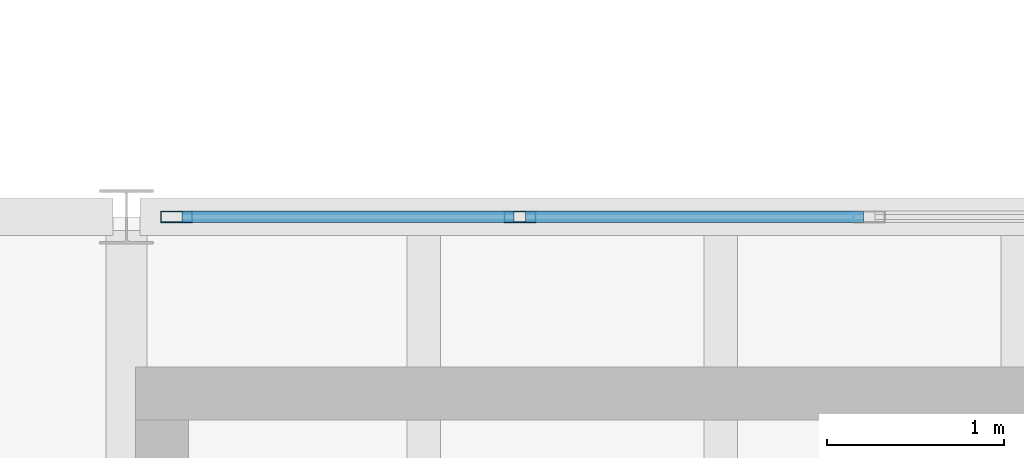
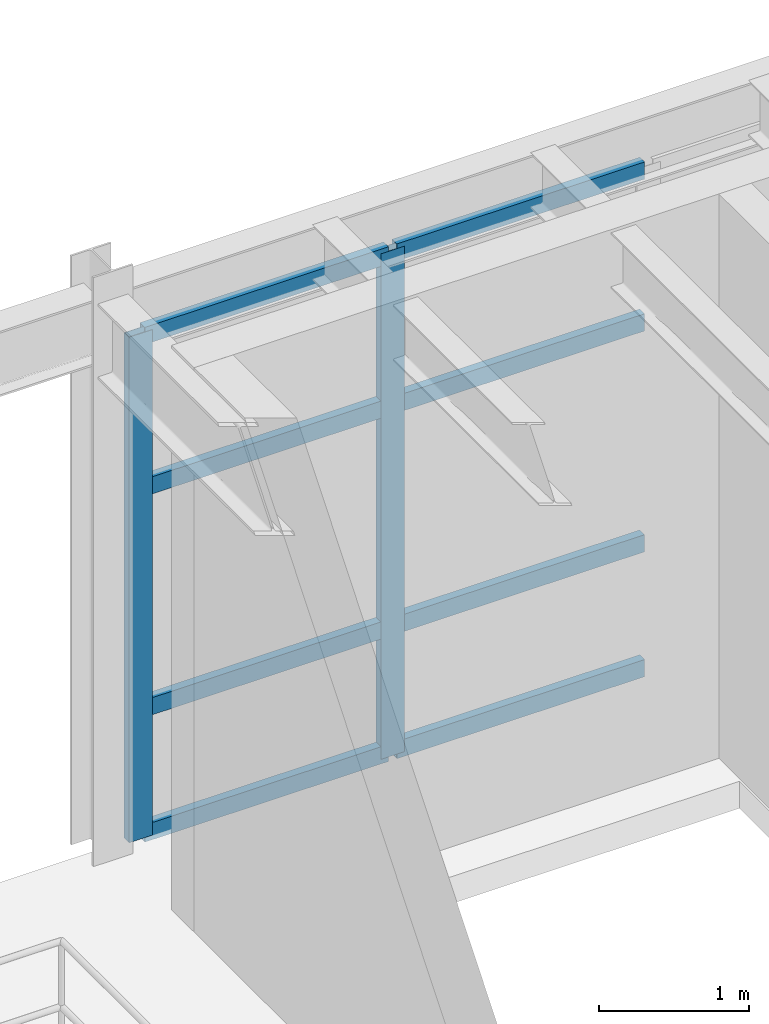
# One storey, part 41 of 105: 10 members, 1 element without a shape of its own.
"""IFC4 building model written with IfcOpenShell, lengths in metres."""

from ifc_helpers import new_model, si_unit, direction, frame, origin, origin_2d, place, context, subcontext, project, spatial, hollow_rectangle, extrude, material, layer, layer_set, material_profile, profile_set, type_object, element, aggregate, save


model = new_model("IFC4")

# Units and contexts
model_context = context("Model", 3, precision=1e-05, world=origin(), true_north=direction((0.0, 1.0)))
body_context = subcontext(model_context, "Body", "Model", "MODEL_VIEW")
ifc_project = project(units=[si_unit("LENGTHUNIT", "METRE"), si_unit("AREAUNIT", "SQUARE_METRE"), si_unit("VOLUMEUNIT", "CUBIC_METRE"), si_unit("PLANEANGLEUNIT", "RADIAN"), si_unit("MASSUNIT", "GRAM", prefix="KILO")], contexts=[model_context])

# Site, building, storey
site_placement = place(None, origin())
site = spatial("IfcSite", under=ifc_project, at=site_placement, CompositionType="ELEMENT")
building_placement = place(site_placement, origin())
building = spatial("IfcBuilding", under=site, at=building_placement, Name="Selat Folded Stagehouse", CompositionType="ELEMENT")
storey_placement = place(building_placement, frame((0.0, 0.0, 10.199951171875)))
storey = spatial("IfcBuildingStorey", under=building, at=storey_placement, Name="L02", CompositionType="ELEMENT", Elevation=10.199951171875)

# Curtain wall, members
ifc_material = material(Name="Aluminium 6063-T6", Category="aluminium")
ifc_layer = layer(ifc_material, 0.195068359375)
ifc_layer_set = layer_set([ifc_layer], Name="Aluminium 6063-T6")
curtain_wall_type = type_object("IfcCurtainWallType", Name="CW-FYR-COURT", PredefinedType="NOTDEFINED", material=ifc_layer_set)
curtain_wall_placement = place(storey_placement, origin())
curtain_wall = element("IfcCurtainWall", 1, at=curtain_wall_placement, inside=storey, type_object=curtain_wall_type, Name="L02 curtain wall CW-FYR-L02-10", PredefinedType="NOTDEFINED")
ifc_material_profile_1 = material_profile(ifc_material, hollow_rectangle(XDim=0.06494140625, YDim=0.179931640625, WallThickness=0.00390625, at=origin_2d()), Name="ALU 180x65x4.0")
ifc_profile_set_1 = profile_set([ifc_material_profile_1], Name="Aluminium 6063-T6")
member_type_1 = type_object("IfcMemberType", Name="CWM-MUL-180x65", PredefinedType="MULLION", material=ifc_profile_set_1)
member_1_placement = place(storey_placement, frame((75.882568359375, 17.800048828125, 0.0), z_axis=(0.0, 0.0, 1.0), x_axis=(0.0, 1.0, 0.0)))
member_1 = element("IfcMember", 2, at=member_1_placement, type_object=member_type_1, Name="CW-05 mullion 1", PredefinedType="MULLION", context=body_context, shape_type="SweptSolid", body=[
    extrude(hollow_rectangle(XDim=0.06494140625, YDim=0.179931640625, WallThickness=0.00390625, at=origin_2d()), origin(), (0.0, 0.0, 1.0), 4.1201171875),
])
member_2_placement = place(storey_placement, frame((77.824951171875, 17.800048828125, 0.0), z_axis=(0.0, 0.0, 1.0), x_axis=(0.0, 1.0, 0.0)))
member_2 = element("IfcMember", 3, at=member_2_placement, type_object=member_type_1, Name="CW-05 mullion 2", PredefinedType="MULLION", context=body_context, shape_type="SweptSolid", body=[
    extrude(hollow_rectangle(XDim=0.06494140625, YDim=0.179931640625, WallThickness=0.00390625, at=origin_2d()), origin(), (0.0, 0.0, 1.0), 4.1201171875),
])
ifc_material_profile_2 = material_profile(ifc_material, hollow_rectangle(XDim=0.06494140625, YDim=0.139892578125, WallThickness=0.00390625, at=origin_2d()), Name="ALU 140x65x4.0")
ifc_profile_set_2 = profile_set([ifc_material_profile_2], Name="Aluminium 6063-T6")
member_type_2 = type_object("IfcMemberType", Name="CWM-TRN-140x65", PredefinedType="USERDEFINED", material=ifc_profile_set_2)
member_3_placement = place(storey_placement, frame((75.9150390625, 17.800048828125, 0.032470703125), z_axis=(1.0, 0.0, 0.0), x_axis=(0.0, 1.0, 0.0)))
member_3 = element("IfcMember", 4, at=member_3_placement, type_object=member_type_2, Name="CW-05 transom 1.1", ObjectType="TRANSOM", PredefinedType="USERDEFINED", context=body_context, shape_type="SweptSolid", body=[
    extrude(hollow_rectangle(XDim=0.06494140625, YDim=0.139892578125, WallThickness=0.00390625, at=origin_2d()), origin(), (0.0, 0.0, 1.0), 1.87744140625),
])
member_4_placement = place(storey_placement, frame((75.9150390625, 17.800048828125, 1.050048828125), z_axis=(1.0, 0.0, 0.0), x_axis=(0.0, 1.0, 0.0)))
member_4 = element("IfcMember", 5, at=member_4_placement, type_object=member_type_2, Name="CW-05 transom 1.2", ObjectType="TRANSOM", PredefinedType="USERDEFINED", context=body_context, shape_type="SweptSolid", body=[
    extrude(hollow_rectangle(XDim=0.06494140625, YDim=0.139892578125, WallThickness=0.00390625, at=origin_2d()), origin(), (0.0, 0.0, 1.0), 1.87744140625),
])
member_5_placement = place(storey_placement, frame((75.9150390625, 17.800048828125, 2.85009765625), z_axis=(1.0, 0.0, 0.0), x_axis=(0.0, 1.0, 0.0)))
member_5 = element("IfcMember", 6, at=member_5_placement, type_object=member_type_2, Name="CW-05 transom 1.3", ObjectType="TRANSOM", PredefinedType="USERDEFINED", context=body_context, shape_type="SweptSolid", body=[
    extrude(hollow_rectangle(XDim=0.06494140625, YDim=0.139892578125, WallThickness=0.00390625, at=origin_2d()), origin(), (0.0, 0.0, 1.0), 1.87744140625),
])
member_6_placement = place(storey_placement, frame((75.9150390625, 17.800048828125, 4.087646484375), z_axis=(1.0, 0.0, 0.0), x_axis=(0.0, 1.0, 0.0)))
member_6 = element("IfcMember", 7, at=member_6_placement, type_object=member_type_2, Name="CW-05 transom 1.4", ObjectType="TRANSOM", PredefinedType="USERDEFINED", context=body_context, shape_type="SweptSolid", body=[
    extrude(hollow_rectangle(XDim=0.06494140625, YDim=0.139892578125, WallThickness=0.00390625, at=origin_2d()), origin(), (0.0, 0.0, 1.0), 1.87744140625),
])
member_7_placement = place(storey_placement, frame((77.857421875, 17.800048828125, 0.032470703125), z_axis=(1.0, 0.0, 0.0), x_axis=(0.0, 1.0, 0.0)))
member_7 = element("IfcMember", 8, at=member_7_placement, type_object=member_type_2, Name="CW-05 transom 2.1", ObjectType="TRANSOM", PredefinedType="USERDEFINED", context=body_context, shape_type="SweptSolid", body=[
    extrude(hollow_rectangle(XDim=0.06494140625, YDim=0.139892578125, WallThickness=0.00390625, at=origin_2d()), origin(), (0.0, 0.0, 1.0), 1.91015625),
])
member_8_placement = place(storey_placement, frame((77.857421875, 17.800048828125, 1.050048828125), z_axis=(1.0, 0.0, 0.0), x_axis=(0.0, 1.0, 0.0)))
member_8 = element("IfcMember", 9, at=member_8_placement, type_object=member_type_2, Name="CW-05 transom 2.2", ObjectType="TRANSOM", PredefinedType="USERDEFINED", context=body_context, shape_type="SweptSolid", body=[
    extrude(hollow_rectangle(XDim=0.06494140625, YDim=0.139892578125, WallThickness=0.00390625, at=origin_2d()), origin(), (0.0, 0.0, 1.0), 1.91015625),
])
member_9_placement = place(storey_placement, frame((77.857421875, 17.800048828125, 2.85009765625), z_axis=(1.0, 0.0, 0.0), x_axis=(0.0, 1.0, 0.0)))
member_9 = element("IfcMember", 10, at=member_9_placement, type_object=member_type_2, Name="CW-05 transom 2.3", ObjectType="TRANSOM", PredefinedType="USERDEFINED", context=body_context, shape_type="SweptSolid", body=[
    extrude(hollow_rectangle(XDim=0.06494140625, YDim=0.139892578125, WallThickness=0.00390625, at=origin_2d()), origin(), (0.0, 0.0, 1.0), 1.91015625),
])
member_10_placement = place(storey_placement, frame((77.857421875, 17.800048828125, 4.087646484375), z_axis=(1.0, 0.0, 0.0), x_axis=(0.0, 1.0, 0.0)))
member_10 = element("IfcMember", 11, at=member_10_placement, type_object=member_type_2, Name="CW-05 transom 2.4", ObjectType="TRANSOM", PredefinedType="USERDEFINED", context=body_context, shape_type="SweptSolid", body=[
    extrude(hollow_rectangle(XDim=0.06494140625, YDim=0.139892578125, WallThickness=0.00390625, at=origin_2d()), origin(), (0.0, 0.0, 1.0), 1.91015625),
])
aggregate(curtain_wall, [member_1, member_2, member_3, member_4, member_5, member_6, member_7, member_8, member_9, member_10])

save(model, "model.ifc")
